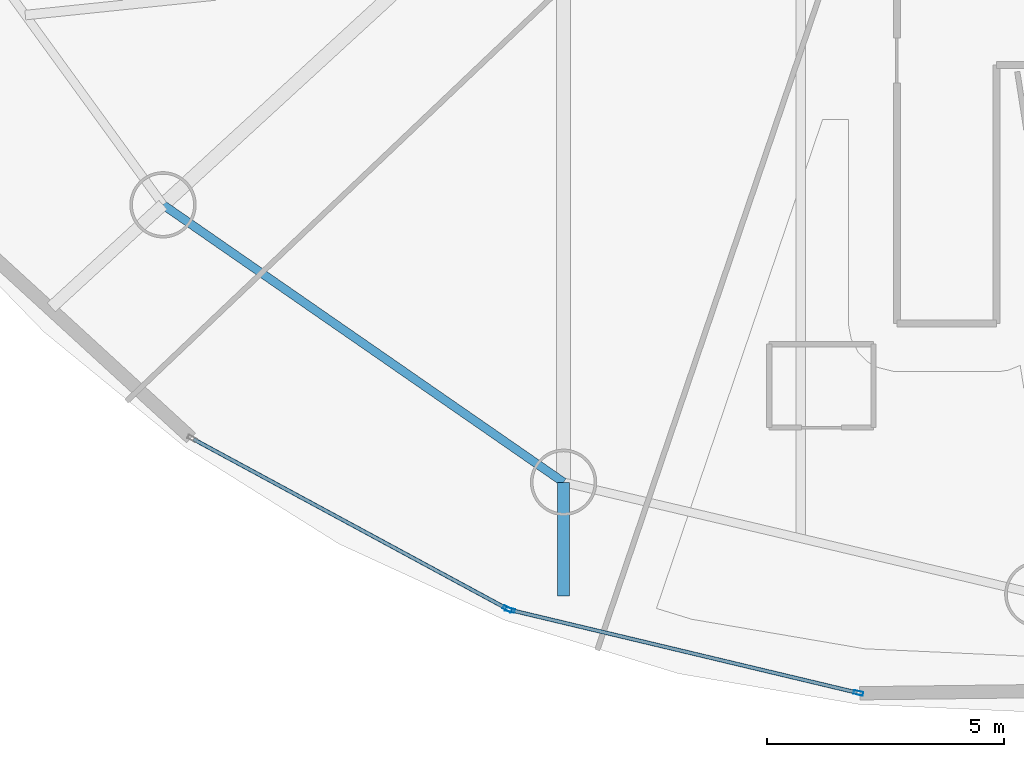
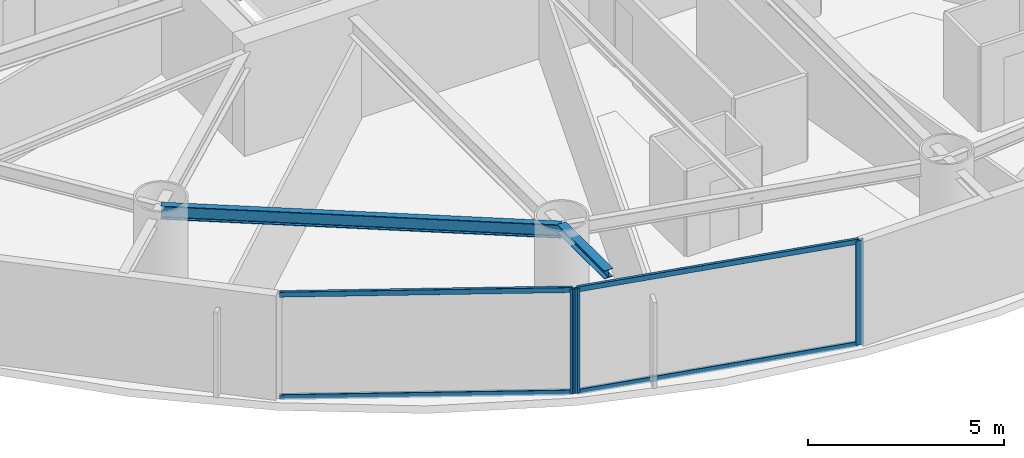
# One storey, part 3 of 22: 7 members, 2 beams, 2 elements without a shape of their own.
"""IFC4 building model written with IfcOpenShell, lengths in metres."""

from ifc_helpers import new_model, si_unit, direction, frame, origin, origin_2d, place, context, subcontext, project, spatial, hollow_rectangle, i_section, extrude, material, layer, layer_set, material_profile, profile_set, type_object, element, aggregate, save


model = new_model("IFC4")

# Units and contexts
model_context = context("Model", 3, precision=1e-05, world=origin(), true_north=direction((0.0, 1.0)))
body_context = subcontext(model_context, "Body", "Model", "MODEL_VIEW")
ifc_project = project(units=[si_unit("LENGTHUNIT", "METRE"), si_unit("AREAUNIT", "SQUARE_METRE"), si_unit("VOLUMEUNIT", "CUBIC_METRE"), si_unit("PLANEANGLEUNIT", "RADIAN"), si_unit("MASSUNIT", "GRAM", prefix="KILO")], contexts=[model_context])

# Site, building, storey
site_placement = place(None, origin())
site = spatial("IfcSite", under=ifc_project, at=site_placement, CompositionType="ELEMENT")
building_placement = place(site_placement, origin())
building = spatial("IfcBuilding", under=site, at=building_placement, Name="Bramvorn Convention Spire", CompositionType="ELEMENT")
storey_placement = place(building_placement, frame((0.0, 0.0, 116.800048828125)))
storey = spatial("IfcBuildingStorey", under=building, at=storey_placement, Name="L28", CompositionType="ELEMENT", Elevation=116.800048828125)

# Beams
ifc_material_1 = material(Name="Steel CSA G40.21 Grade 350 (350W)", Category="steel")
ifc_material_profile_1 = material_profile(ifc_material_1, i_section(OverallWidth=0.25390625, OverallDepth=0.2529296875, WebThickness=0.008544921875, FlangeThickness=0.01416015625, FilletRadius=0.011962890625, at=origin_2d()))
ifc_profile_set_1 = profile_set([ifc_material_profile_1], Name="Steel CSA G40.21 Grade 350 (350W) - W250X73")
beam_type_1 = type_object("IfcBeamType", Name="BM-W250X73", PredefinedType="BEAM", material=ifc_profile_set_1)
beam_1_placement = place(storey_placement, frame((29.917236328125, 7.845947265625, 3.133544921875), z_axis=(0.0, -1.0, 0.0), x_axis=(1.0, 0.0, 0.0)))
element("IfcBeam", 1, at=beam_1_placement, inside=storey, type_object=beam_type_1, Name="L28 slab-edge cantilever tip beam MC13", PredefinedType="BEAM", context=body_context, shape_type="SweptSolid", body=[
    extrude(i_section(OverallWidth=0.25390625, OverallDepth=0.2529296875, WebThickness=0.008544921875, FlangeThickness=0.01416015625, FilletRadius=0.011962890625, at=origin_2d()), origin(), (0.0, 0.0, 1.0), 2.39990234375),
])
ifc_material_profile_2 = material_profile(ifc_material_1, i_section(OverallWidth=0.180908203125, OverallDepth=0.4169921875, WebThickness=0.010986328125, FlangeThickness=0.018310546875, FilletRadius=0.01611328125, at=origin_2d()))
ifc_profile_set_2 = profile_set([ifc_material_profile_2], Name="Steel CSA G40.21 Grade 350 (350W) - W410X85")
beam_type_2 = type_object("IfcBeamType", Name="BM-W410X85", PredefinedType="JOIST", material=ifc_profile_set_2)
beam_2_placement = place(storey_placement, frame((21.465087890625, 13.700927734375, 3.051513671875), z_axis=(0.822033166673, -0.569439613032, 0.0), x_axis=(0.569439613032, 0.822033166673, 0.0)))
element("IfcBeam", 2, at=beam_2_placement, inside=storey, type_object=beam_type_2, Name="L28 mega-column ring beam 12", PredefinedType="JOIST", context=body_context, shape_type="SweptSolid", body=[
    extrude(i_section(OverallWidth=0.180908203125, OverallDepth=0.4169921875, WebThickness=0.010986328125, FlangeThickness=0.018310546875, FilletRadius=0.01611328125, at=origin_2d()), origin(), (0.0, 0.0, 1.0), 10.281982421875),
])

# Curtain wall, member
ifc_material_2 = material(Name="Anodised Bronze Unitised Curtain Wall", Category="aluminium")
ifc_layer = layer(ifc_material_2, 0.179931640625)
ifc_layer_set = layer_set([ifc_layer], Name="Anodised Bronze Unitised Curtain Wall - CW-HTL-FRIT")
curtain_wall_type = type_object("IfcCurtainWallType", Name="CW-HTL-FRIT", PredefinedType="USERDEFINED", material=ifc_layer_set)
curtain_wall_1_placement = place(storey_placement, origin())
curtain_wall_1 = element("IfcCurtainWall", 3, at=curtain_wall_1_placement, inside=storey, type_object=curtain_wall_type, Name="L28 fritted glass curtain wall 18", ObjectType="UNITISED CURTAIN WALL", PredefinedType="USERDEFINED")
ifc_material_3 = material(Name="Anodised Bronze Aluminium 6063-T6", Category="aluminium")
ifc_material_profile_3 = material_profile(ifc_material_3, hollow_rectangle(XDim=0.080078125, YDim=0.199951171875, WallThickness=0.00390625, InnerFilletRadius=0.0009765625, OuterFilletRadius=0.00390625, at=origin_2d()))
ifc_profile_set_3 = profile_set([ifc_material_profile_3], Name="Anodised Bronze Aluminium 6063-T6 - CWM80X200")
member_type_1 = type_object("IfcMemberType", Name="CW-MUL-180", PredefinedType="MULLION", material=ifc_profile_set_3)
member_1_placement = place(storey_placement, frame((28.73095703125, 5.173828125, 0.0), z_axis=(0.0, 0.0, 1.0), x_axis=(-0.475592815973, -0.879665546327, 0.0)))
member_1 = element("IfcMember", 4, at=member_1_placement, type_object=member_type_1, Name="CW2 mullion 1", PredefinedType="MULLION", context=body_context, shape_type="SweptSolid", body=[
    extrude(hollow_rectangle(XDim=0.080078125, YDim=0.199951171875, WallThickness=0.00390625, InnerFilletRadius=0.0009765625, OuterFilletRadius=0.00390625, at=origin_2d()), origin(), (0.0, 0.0, 1.0), 3.260009765625),
])

# Curtain wall, members
curtain_wall_2_placement = place(storey_placement, origin())
curtain_wall_2 = element("IfcCurtainWall", 5, at=curtain_wall_2_placement, inside=storey, type_object=curtain_wall_type, Name="L28 fritted glass curtain wall 19", ObjectType="UNITISED CURTAIN WALL", PredefinedType="USERDEFINED")
member_2_placement = place(storey_placement, frame((36.13818359375, 3.40087890625, 0.0), z_axis=(0.0, 0.0, 1.0), x_axis=(-0.231783804127, -0.972767324772, 0.0)))
member_2 = element("IfcMember", 6, at=member_2_placement, type_object=member_type_1, Name="CW2 mullion 1", PredefinedType="MULLION", context=body_context, shape_type="SweptSolid", body=[
    extrude(hollow_rectangle(XDim=0.080078125, YDim=0.199951171875, WallThickness=0.00390625, InnerFilletRadius=0.0009765625, OuterFilletRadius=0.00390625, at=origin_2d()), origin(), (0.0, 0.0, 1.0), 3.260009765625),
])
member_3_placement = place(storey_placement, frame((28.786376953125, 5.152587890625, 0.0), z_axis=(0.0, 0.0, 1.0), x_axis=(-0.231783804127, -0.972767324772, 0.0)))
member_3 = element("IfcMember", 7, at=member_3_placement, type_object=member_type_1, Name="CW2 mullion 2", PredefinedType="MULLION", context=body_context, shape_type="SweptSolid", body=[
    extrude(hollow_rectangle(XDim=0.080078125, YDim=0.199951171875, WallThickness=0.00390625, InnerFilletRadius=0.0009765625, OuterFilletRadius=0.00390625, at=origin_2d()), origin(), (0.0, 0.0, 1.0), 3.260009765625),
])

# Member
ifc_material_profile_4 = material_profile(ifc_material_3, hollow_rectangle(XDim=0.080078125, YDim=0.159912109375, WallThickness=0.00390625, InnerFilletRadius=0.0009765625, OuterFilletRadius=0.00390625, at=origin_2d()))
ifc_profile_set_4 = profile_set([ifc_material_profile_4], Name="Anodised Bronze Aluminium 6063-T6 - CWT80X160")
member_type_2 = type_object("IfcMemberType", Name="CW-TRN-150", PredefinedType="USERDEFINED", material=ifc_profile_set_4)
member_4_placement = place(storey_placement, frame((28.70458984375, 5.188232421875, 0.030029296875), z_axis=(-0.87966785428, 0.475588547115, 0.0), x_axis=(-0.475588547115, -0.87966785428, 0.0)))
member_4 = element("IfcMember", 8, at=member_4_placement, type_object=member_type_2, Name="CW2 transom 1.1", ObjectType="TRANSOM", PredefinedType="USERDEFINED", context=body_context, shape_type="SweptSolid", body=[
    extrude(hollow_rectangle(XDim=0.080078125, YDim=0.159912109375, WallThickness=0.00390625, InnerFilletRadius=0.0009765625, OuterFilletRadius=0.00390625, at=origin_2d()), origin(), (0.0, 0.0, 1.0), 7.497314453125),
])

member_5_placement = place(storey_placement, frame((28.70458984375, 5.188232421875, 3.22998046875), z_axis=(-0.87966785428, 0.475588547115, 0.0), x_axis=(-0.475588547115, -0.87966785428, 0.0)))
member_5 = element("IfcMember", 9, at=member_5_placement, type_object=member_type_2, Name="CW2 transom 1.2", ObjectType="TRANSOM", PredefinedType="USERDEFINED", context=body_context, shape_type="SweptSolid", body=[
    extrude(hollow_rectangle(XDim=0.080078125, YDim=0.159912109375, WallThickness=0.00390625, InnerFilletRadius=0.0009765625, OuterFilletRadius=0.00390625, at=origin_2d()), origin(), (0.0, 0.0, 1.0), 7.497314453125),
])

aggregate(curtain_wall_1, [member_1, member_4, member_5])

member_6_placement = place(storey_placement, frame((36.10888671875, 3.407958984375, 0.030029296875), z_axis=(-0.972766719166, 0.231786345765, 0.0), x_axis=(-0.231786345765, -0.972766719166, 0.0)))
member_6 = element("IfcMember", 10, at=member_6_placement, type_object=member_type_2, Name="CW2 transom 1.1", ObjectType="TRANSOM", PredefinedType="USERDEFINED", context=body_context, shape_type="SweptSolid", body=[
    extrude(hollow_rectangle(XDim=0.080078125, YDim=0.159912109375, WallThickness=0.00390625, InnerFilletRadius=0.0009765625, OuterFilletRadius=0.00390625, at=origin_2d()), origin(), (0.0, 0.0, 1.0), 7.497314453125),
])

member_7_placement = place(storey_placement, frame((36.10888671875, 3.407958984375, 3.22998046875), z_axis=(-0.972766719166, 0.231786345765, 0.0), x_axis=(-0.231786345765, -0.972766719166, 0.0)))
member_7 = element("IfcMember", 11, at=member_7_placement, type_object=member_type_2, Name="CW2 transom 1.2", ObjectType="TRANSOM", PredefinedType="USERDEFINED", context=body_context, shape_type="SweptSolid", body=[
    extrude(hollow_rectangle(XDim=0.080078125, YDim=0.159912109375, WallThickness=0.00390625, InnerFilletRadius=0.0009765625, OuterFilletRadius=0.00390625, at=origin_2d()), origin(), (0.0, 0.0, 1.0), 7.497314453125),
])

aggregate(curtain_wall_2, [member_2, member_3, member_6, member_7])

save(model, "model.ifc")
